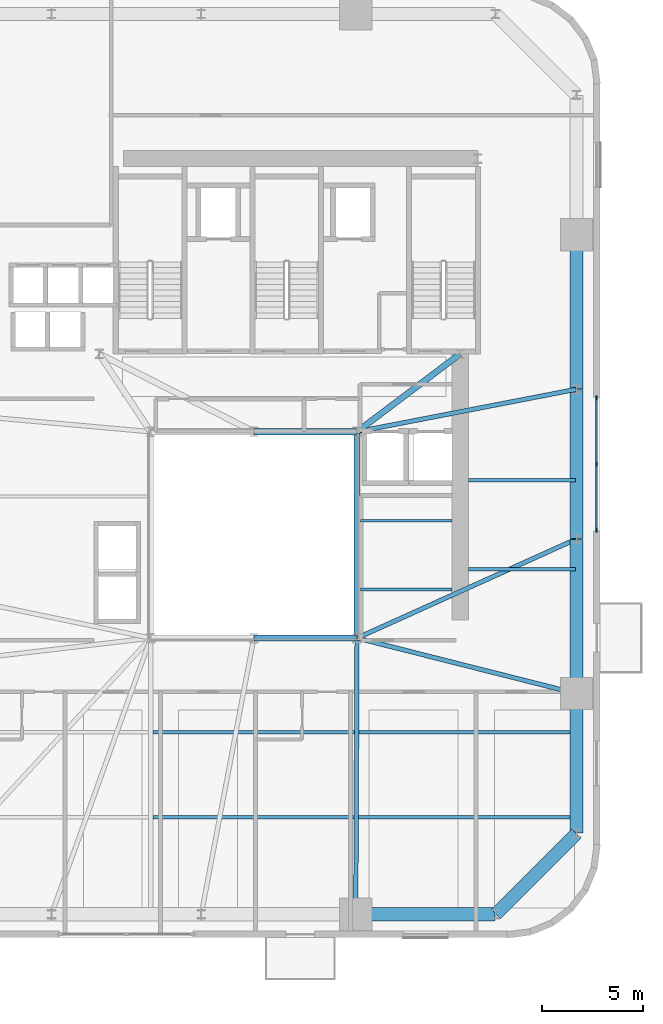
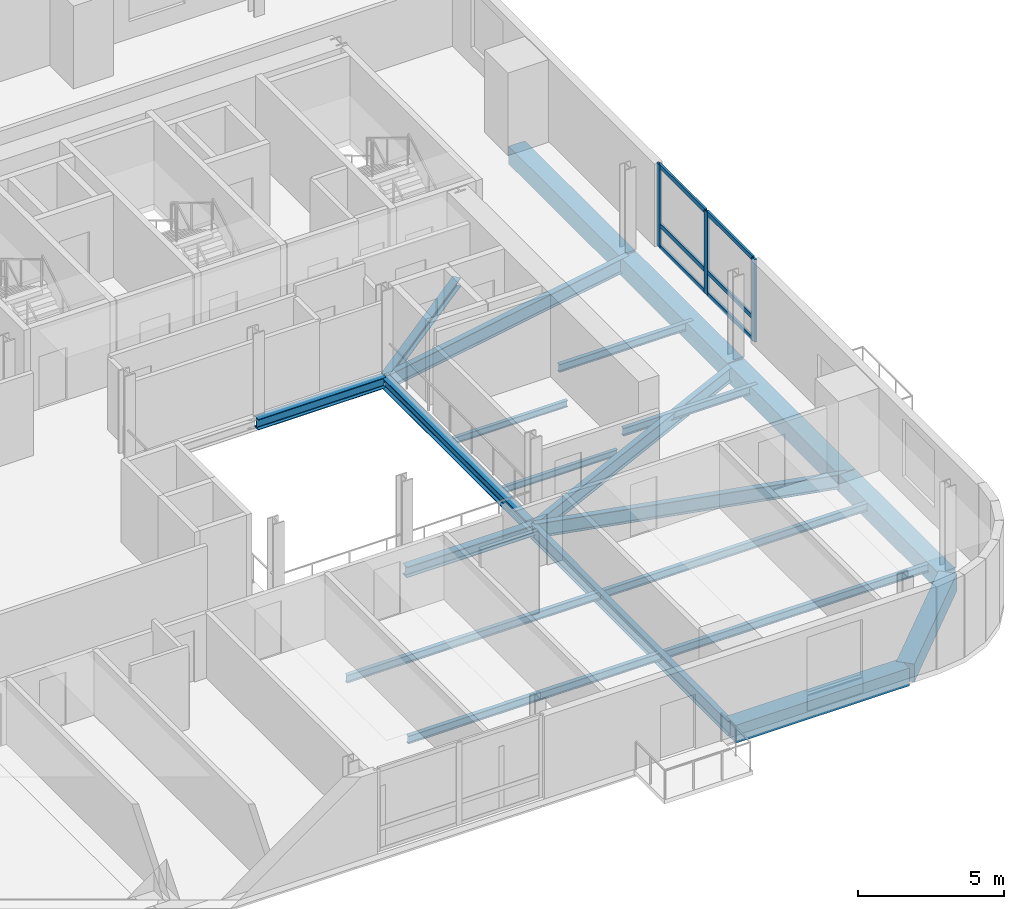
# One storey, part 3 of 14: 20 beams, 9 members, 1 element without a shape of its own.
"""IFC4 building model written with IfcOpenShell, lengths in metres."""

import ifcopenshell
import ifcopenshell.guid

model = None  # the IFC model being written
_history = None  # IfcOwnerHistory: only IFC2X3 demands one
_inside = {}  # id of a spatial element -> (the spatial element, [elements in it])
_under = {}  # id of a project, library or spatial element -> (it, [spatial elements below it])
_declared = {}  # id of a project -> (the project, [libraries it declares])
_typed = {}  # id of a type object -> (the type object, [elements of that type])
_made_of = {}  # id of a material, layer set ... -> (it, [elements and type objects made of it])


def new_model(schema):
    """Start an empty IFC model of exactly this schema.

    Asked for "IFC4X3", IfcOpenShell would pick the latest addendum, in which some entities
    have other attributes; the version numbers below select the first issue.
    IFC2X3 requires an IfcOwnerHistory on every rooted entity: one is made here for all.
    """
    global model, _history
    if schema == "IFC4X3":
        model = ifcopenshell.file(schema_version=(4, 3, 0, 0))
    else:
        model = ifcopenshell.file(schema=schema)
    _inside.clear()
    _under.clear()
    _declared.clear()
    _typed.clear()
    _made_of.clear()
    _history = None
    if model.schema == "IFC2X3":
        org = make("IfcOrganization", Name="unknown")
        user = make(
            "IfcPersonAndOrganization",
            ThePerson=make("IfcPerson", FamilyName="unknown"),
            TheOrganization=org,
        )
        app = make(
            "IfcApplication",
            ApplicationDeveloper=org,
            Version="unknown",
            ApplicationFullName="unknown",
            ApplicationIdentifier="unknown",
        )
        _history = make(
            "IfcOwnerHistory",
            OwningUser=user,
            OwningApplication=app,
            ChangeAction="ADDED",
            CreationDate=0,
        )
    return model


def make(cls, **values):
    """One entity of the class cls with the attributes given. An attribute that is None is left unset."""
    return model.create_entity(
        cls, **{name: value for name, value in values.items() if value is not None}
    )


def rooted(cls, **values):
    """An entity with a GlobalId (a new one), such as an element, a storey or a relation."""
    return make(cls, GlobalId=ifcopenshell.guid.new(), OwnerHistory=_history, **values)


def si_unit(unit_type, name, prefix=None):
    """IfcSIUnit, for example si_unit("LENGTHUNIT", "METRE", prefix="MILLI")."""
    return make("IfcSIUnit", UnitType=unit_type, Prefix=prefix, Name=name)


def assignment(units):
    """IfcUnitAssignment: the units of a project."""
    return None if units is None else make("IfcUnitAssignment", Units=units)


def point(xyz):
    """IfcCartesianPoint."""
    return None if xyz is None else make("IfcCartesianPoint", Coordinates=xyz)


def direction(xyz):
    """IfcDirection."""
    return None if xyz is None else make("IfcDirection", DirectionRatios=xyz)


def frame(location, z_axis=None, x_axis=None):
    """IfcAxis2Placement3D, a coordinate frame: its origin and axes. An axis left out is left unset."""
    return make(
        "IfcAxis2Placement3D",
        Location=point(location),
        Axis=direction(z_axis),
        RefDirection=direction(x_axis),
    )


def frame_2d(location, x_axis=None):
    """IfcAxis2Placement2D, a coordinate frame in the plane: its origin and x axis."""
    return make(
        "IfcAxis2Placement2D", Location=point(location), RefDirection=direction(x_axis)
    )


def origin():
    """The frame at (0, 0, 0) with its axes left unset."""
    return frame((0.0, 0.0, 0.0))


def origin_2d():
    """The frame at (0, 0) in the plane with its x axis left unset."""
    return frame_2d((0.0, 0.0))


def place(relative_to, where):
    """IfcLocalPlacement: puts the frame where relative to a parent placement (None: the world)."""
    return make(
        "IfcLocalPlacement", PlacementRelTo=relative_to, RelativePlacement=where
    )


def context(
    kind, dimensions, precision=None, world=None, true_north=None, identifier=None
):
    """IfcGeometricRepresentationContext, for example the 3D "Model" context."""
    return make(
        "IfcGeometricRepresentationContext",
        ContextIdentifier=identifier,
        ContextType=kind,
        CoordinateSpaceDimension=dimensions,
        Precision=precision,
        WorldCoordinateSystem=world,
        TrueNorth=true_north,
    )


def subcontext(parent, identifier, kind, view, scale=None):
    """IfcGeometricRepresentationSubContext, for example "Body" below "Model"."""
    return make(
        "IfcGeometricRepresentationSubContext",
        ContextIdentifier=identifier,
        ContextType=kind,
        ParentContext=parent,
        TargetScale=scale,
        TargetView=view,
    )


def project(units=None, contexts=None):
    """IfcProject with its units and contexts."""
    return rooted(
        "IfcProject",
        Name="project",
        RepresentationContexts=contexts,
        UnitsInContext=assignment(units),
    )


def spatial(cls, under=None, at=None, **own):
    """A site, building, storey or space (cls), placed at a placement, below another one or the project."""
    s = rooted(cls, ObjectPlacement=at, **own)
    if under is not None:
        _under.setdefault(under.id(), (under, []))[1].append(s)
    return s


def profile(cls, at=None, kind="AREA", **sizes):
    """A parametric profile (cls). Its sizes go by their IFC names, for example OverallWidth=200.0."""
    return make(cls, ProfileType=kind, Position=at, **sizes)


def rectangle(**sizes):
    """IfcRectangleProfileDef."""
    return profile("IfcRectangleProfileDef", **sizes)


def i_section(**sizes):
    """IfcIShapeProfileDef."""
    return profile("IfcIShapeProfileDef", **sizes)


def extrude(swept, where, along, depth):
    """IfcExtrudedAreaSolid: the profile swept, set in the frame where, extruded along a direction by depth."""
    return make(
        "IfcExtrudedAreaSolid",
        SweptArea=swept,
        Position=where,
        ExtrudedDirection=direction(along),
        Depth=depth,
    )


def shape(context_of_items, identifier, shape_type, items):
    """IfcShapeRepresentation: the items that make up one representation, for example the "Body"."""
    return make(
        "IfcShapeRepresentation",
        ContextOfItems=context_of_items,
        RepresentationIdentifier=identifier,
        RepresentationType=shape_type,
        Items=items,
    )


def source(mapping_origin, context_of_items, identifier, shape_type, items):
    """IfcRepresentationMap: a shape defined once, which mapped items show again and again."""
    return make(
        "IfcRepresentationMap",
        MappingOrigin=mapping_origin,
        MappedRepresentation=shape(context_of_items, identifier, shape_type, items),
    )


def transform(
    local_origin,
    x_axis=None,
    y_axis=None,
    z_axis=None,
    scale=None,
    scale2=None,
    scale3=None,
    uniform=True,
):
    """IfcCartesianTransformationOperator3D, or its non-uniform kind. x_axis, y_axis, z_axis: its Axis1, 2, 3."""
    if uniform:
        return make(
            "IfcCartesianTransformationOperator3D",
            Axis1=direction(x_axis),
            Axis2=direction(y_axis),
            LocalOrigin=point(local_origin),
            Scale=scale,
            Axis3=direction(z_axis),
        )
    return make(
        "IfcCartesianTransformationOperator3DnonUniform",
        Axis1=direction(x_axis),
        Axis2=direction(y_axis),
        LocalOrigin=point(local_origin),
        Scale=scale,
        Axis3=direction(z_axis),
        Scale2=scale2,
        Scale3=scale3,
    )


def mapped(mapping_source, mapping_target):
    """IfcMappedItem: shows the shape of a source again, moved by a transform."""
    return make(
        "IfcMappedItem", MappingSource=mapping_source, MappingTarget=mapping_target
    )


def material(Name=None, Category=None):
    """IfcMaterial."""
    return make("IfcMaterial", Name=Name, Category=Category)


def material_profile(
    of_material, cross_section, Name=None, Category=None, Priority=None
):
    """IfcMaterialProfile: a cross section and its material."""
    return make(
        "IfcMaterialProfile",
        Name=Name,
        Material=of_material,
        Profile=cross_section,
        Priority=Priority,
        Category=Category,
    )


def profile_set(profiles, Name=None, composite=None):
    """IfcMaterialProfileSet."""
    return make(
        "IfcMaterialProfileSet",
        Name=Name,
        MaterialProfiles=profiles,
        CompositeProfile=composite,
    )


def made_of(thing, what):
    """Note that an element or type object is made of a material, layer set ...; save() writes the relation."""
    if what is not None:
        _made_of.setdefault(what.id(), (what, []))[1].append(thing)
    return thing


def type_object(cls, material=None, **own):
    """A type object (cls), such as IfcWallType, which elements share."""
    return made_of(rooted(cls, **own), material)


def element(
    cls,
    number,
    at=None,
    inside=None,
    cuts=None,
    type_object=None,
    material=None,
    context=None,
    identifier="Body",
    shape_type=None,
    held_by="IfcProductDefinitionShape",
    body=None,
    shapes=None,
    **own,
):
    """One element of the class cls, such as IfcWall. Its Tag is "e" and its number.

    at: its placement. inside: the storey or other place that contains it. cuts: it is an
    opening in that element (IfcRelVoidsElement). A single representation is given by context,
    identifier, shape_type and body (its items); several are given by shapes. held_by: the class
    of the entity that holds the representations. save() writes the other relations.
    """
    e = rooted(cls, Tag="e%d" % number, ObjectPlacement=at, **own)
    if body is not None:
        shapes = [shape(context, identifier, shape_type, body)]
    if shapes is not None:
        e.Representation = make(held_by, Representations=shapes)
    if inside is not None:
        _inside.setdefault(inside.id(), (inside, []))[1].append(e)
    if cuts is not None:
        rooted(
            "IfcRelVoidsElement", RelatingBuildingElement=cuts, RelatedOpeningElement=e
        )
    if type_object is not None:
        _typed.setdefault(type_object.id(), (type_object, []))[1].append(e)
    return made_of(e, material)


def aggregate(whole, parts):
    """IfcRelAggregates: a whole, such as a stair, and the parts it consists of."""
    return rooted("IfcRelAggregates", RelatingObject=whole, RelatedObjects=parts)


def save(model, path):
    """Write the relations noted so far, then the file.

    IfcRelAggregates (storeys below a building ...), IfcRelContainedInSpatialStructure (elements
    in a storey), IfcRelDefinesByType, IfcRelAssociatesMaterial and IfcRelDeclares: one each for
    every whole, place, type object, material and project.
    """
    for whole, parts in _under.values():
        aggregate(whole, parts)
    for where, things in _inside.values():
        rooted(
            "IfcRelContainedInSpatialStructure",
            RelatedElements=things,
            RelatingStructure=where,
        )
    for kind, things in _typed.values():
        rooted("IfcRelDefinesByType", RelatedObjects=things, RelatingType=kind)
    for what, things in _made_of.values():
        rooted("IfcRelAssociatesMaterial", RelatedObjects=things, RelatingMaterial=what)
    for by, libraries in _declared.values():
        rooted("IfcRelDeclares", RelatingContext=by, RelatedDefinitions=libraries)
    model.write(path)


model = new_model("IFC4")

# Units and contexts
model_context = context("Model", 3, precision=1e-05, world=origin(), true_north=direction((0.0, 1.0)))
body_context = subcontext(model_context, "Body", "Model", "MODEL_VIEW")
ifc_project = project(units=[si_unit("LENGTHUNIT", "METRE"), si_unit("AREAUNIT", "SQUARE_METRE"), si_unit("VOLUMEUNIT", "CUBIC_METRE"), si_unit("PLANEANGLEUNIT", "RADIAN"), si_unit("MASSUNIT", "GRAM", prefix="KILO")], contexts=[model_context])

# Site, building, storey
site_placement = place(None, origin())
site = spatial("IfcSite", under=ifc_project, at=site_placement, CompositionType="ELEMENT")
building_placement = place(site_placement, origin())
building = spatial("IfcBuilding", under=site, at=building_placement, Name="Vardaveli Station Tower", CompositionType="ELEMENT")
storey_placement = place(building_placement, frame((0.0, 0.0, 152.0)))
storey = spatial("IfcBuildingStorey", under=building, at=storey_placement, Name="L39", CompositionType="ELEMENT", Elevation=152.0)

# Beams
ifc_material_1 = material(Name="Structural steel S355J2", Category="steel")
ifc_material_profile_1 = material_profile(ifc_material_1, i_section(OverallWidth=0.300048828125, OverallDepth=0.449951171875, WebThickness=0.013916015625, FlangeThickness=0.02587890625, FilletRadius=0.027099609375, at=origin_2d()), Name="HEB 450")
ifc_profile_set_1 = profile_set([ifc_material_profile_1], Name="Structural steel S355J2")
beam_type_1 = type_object("IfcBeamType", Name="BM-HEB450", PredefinedType="BEAM", material=ifc_profile_set_1)
shared_shape_1 = source(origin(), body_context, "Body", "SweptSolid", [
    extrude(i_section(OverallWidth=0.300048828125, OverallDepth=0.449951171875, WebThickness=0.013916015625, FlangeThickness=0.02587890625, FilletRadius=0.027099609375, at=origin_2d()), origin(), (0.0, 0.0, 1.0), 5.059814453125),
])
for number, where, z_axis, x_axis, name in (
    (1, (36.320068359375, 16.60009765625, -0.465087890625), (1.0, 0.0, 0.0), (0.0, 1.0, 0.0), "ABM-L39-02"),
    (2, (41.3798828125, 26.800048828125, -0.465087890625), (-1.0, 0.0, 0.0), (0.0, -1.0, 0.0), "ABM-L39-04"),
):
    element("IfcBeam", number, at=place(storey_placement, frame(where, z_axis=z_axis, x_axis=x_axis)), inside=storey, type_object=beam_type_1, Name=name, PredefinedType="BEAM", context=body_context, shape_type="MappedRepresentation", body=[
        mapped(shared_shape_1, transform((0.0, 0.0, 0.0), scale=1.0)),
    ])
shared_shape_2 = source(origin(), body_context, "Body", "SweptSolid", [
    extrude(i_section(OverallWidth=0.300048828125, OverallDepth=0.449951171875, WebThickness=0.013916015625, FlangeThickness=0.02587890625, FilletRadius=0.027099609375, at=origin_2d()), origin(), (0.0, 0.0, 1.0), 10.159912109375),
])
beam_1_placement = place(storey_placement, frame((41.39990234375, 16.6201171875, -0.465087890625), z_axis=(0.0, 1.0, 0.0), x_axis=(-1.0, 0.0, 0.0)))
element("IfcBeam", 3, at=beam_1_placement, inside=storey, type_object=beam_type_1, Name="ABM-L39-03", PredefinedType="BEAM", context=body_context, shape_type="MappedRepresentation", body=[
    mapped(shared_shape_2, transform((0.0, 0.0, 0.0), scale=1.0)),
])
ifc_material_profile_2 = material_profile(ifc_material_1, i_section(OverallWidth=0.300048828125, OverallDepth=0.360107421875, WebThickness=0.012451171875, FlangeThickness=0.0224609375, FilletRadius=0.027099609375, at=origin_2d()), Name="HEB 360")
ifc_profile_set_2 = profile_set([ifc_material_profile_2], Name="Structural steel S355J2")
beam_type_2 = type_object("IfcBeamType", Name="BM-HEB360", PredefinedType="BEAM", material=ifc_profile_set_2)
shared_shape_3 = source(origin(), body_context, "Body", "SweptSolid", [
    extrude(i_section(OverallWidth=0.300048828125, OverallDepth=0.360107421875, WebThickness=0.012451171875, FlangeThickness=0.0224609375, FilletRadius=0.027099609375, at=origin_2d()), origin(), (0.0, 0.0, 1.0), 6.35009765625),
])
beam_2_placement = place(storey_placement, frame((41.416015625, 26.81201171875, -0.419921875), z_axis=(0.798118337722, 0.602500721154, 0.0), x_axis=(-0.602500721154, 0.798118337722, 0.0)))
element("IfcBeam", 4, at=beam_2_placement, inside=storey, type_object=beam_type_2, Name="CBM-L39-02", PredefinedType="BEAM", context=body_context, shape_type="MappedRepresentation", body=[
    mapped(shared_shape_3, transform((0.0, 0.0, 0.0), scale=1.0)),
])
ifc_material_2 = material(Name="Precast concrete C45/55", Category="concrete")
ifc_material_profile_3 = material_profile(ifc_material_2, rectangle(XDim=0.64990234375, YDim=0.75, at=origin_2d()), Name="LPB 650x750")
ifc_profile_set_3 = profile_set([ifc_material_profile_3], Name="Precast concrete C45/55")
beam_type_3 = type_object("IfcBeamType", Name="BM-LPB-750", PredefinedType="BEAM", material=ifc_profile_set_3)
shared_shape_4 = source(origin(), body_context, "Body", "SweptSolid", [
    extrude(rectangle(XDim=0.64990234375, YDim=0.75, at=origin_2d()), origin(), (0.0, 0.0, 1.0), 7.60009765625),
])
for number, where, z_axis, x_axis, name in (
    (5, (52.25, 13.8798828125, -0.614990234375), (0.0, 1.0, 0.0), (-1.0, 0.0, 0.0), "RBM-L39-07"),
    (6, (52.25, 28.919921875, -0.614990234375), (0.0, 1.0, 0.0), (-1.0, 0.0, 0.0), "RBM-L39-09"),
):
    element("IfcBeam", number, at=place(storey_placement, frame(where, z_axis=z_axis, x_axis=x_axis)), inside=storey, type_object=beam_type_3, Name=name, PredefinedType="BEAM", context=body_context, shape_type="MappedRepresentation", body=[
        mapped(shared_shape_4, transform((0.0, 0.0, 0.0), scale=1.0)),
    ])
shared_shape_5 = source(origin(), body_context, "Body", "SweptSolid", [
    extrude(rectangle(XDim=0.64990234375, YDim=0.75, at=origin_2d()), origin(), (0.0, 0.0, 1.0), 7.35986328125),
])
beam_3_placement = place(storey_placement, frame((52.25, 21.52001953125, -0.614990234375), z_axis=(0.0, 1.0, 0.0), x_axis=(-1.0, 0.0, 0.0)))
element("IfcBeam", 7, at=beam_3_placement, inside=storey, type_object=beam_type_3, Name="RBM-L39-08", PredefinedType="BEAM", context=body_context, shape_type="MappedRepresentation", body=[
    mapped(shared_shape_5, transform((0.0, 0.0, 0.0), scale=1.0)),
])
shared_shape_6 = source(origin(), body_context, "Body", "SweptSolid", [
    extrude(rectangle(XDim=0.64990234375, YDim=0.75, at=origin_2d()), origin(), (0.0, 0.0, 1.0), 6.869873046875),
])
beam_4_placement = place(storey_placement, frame((41.360107421875, 2.949951171875, -0.614990234375), z_axis=(1.0, 0.0, 0.0), x_axis=(0.0, 1.0, 0.0)))
element("IfcBeam", 8, at=beam_4_placement, inside=storey, type_object=beam_type_3, Name="RBM-L39-04", PredefinedType="BEAM", context=body_context, shape_type="MappedRepresentation", body=[
    mapped(shared_shape_6, transform((0.0, 0.0, 0.0), scale=1.0)),
])
shared_shape_7 = source(origin(), body_context, "Body", "SweptSolid", [
    extrude(rectangle(XDim=0.64990234375, YDim=0.75, at=origin_2d()), origin(), (0.0, 0.0, 1.0), 5.61669921875),
])
beam_5_placement = place(storey_placement, frame((48.26416015625, 2.964111328125, -0.614990234375), z_axis=(0.707106781187, 0.707106781187, 0.0), x_axis=(-0.707106781187, 0.707106781187, 0.0)))
element("IfcBeam", 9, at=beam_5_placement, inside=storey, type_object=beam_type_3, Name="RBM-L39-05", PredefinedType="BEAM", context=body_context, shape_type="MappedRepresentation", body=[
    mapped(shared_shape_7, transform((0.0, 0.0, 0.0), scale=1.0)),
])
shared_shape_8 = source(origin(), body_context, "Body", "SweptSolid", [
    extrude(rectangle(XDim=0.64990234375, YDim=0.75, at=origin_2d()), origin(), (0.0, 0.0, 1.0), 6.8701171875),
])
beam_6_placement = place(storey_placement, frame((52.25, 6.969970703125, -0.614990234375), z_axis=(0.0, 1.0, 0.0), x_axis=(-1.0, 0.0, 0.0)))
element("IfcBeam", 10, at=beam_6_placement, inside=storey, type_object=beam_type_3, Name="RBM-L39-06", PredefinedType="BEAM", context=body_context, shape_type="MappedRepresentation", body=[
    mapped(shared_shape_8, transform((0.0, 0.0, 0.0), scale=1.0)),
])
ifc_material_profile_4 = material_profile(ifc_material_1, i_section(OverallWidth=0.159912109375, OverallDepth=0.330078125, WebThickness=0.007568359375, FlangeThickness=0.011474609375, FilletRadius=0.01806640625, at=origin_2d()), Name="IPE 330")
ifc_profile_set_4 = profile_set([ifc_material_profile_4], Name="Structural steel S355J2")
beam_type_4 = type_object("IfcBeamType", Name="BM-IPE330", PredefinedType="JOIST", material=ifc_profile_set_4)
shared_shape_9 = source(origin(), body_context, "Body", "SweptSolid", [
    extrude(i_section(OverallWidth=0.159912109375, OverallDepth=0.330078125, WebThickness=0.007568359375, FlangeThickness=0.011474609375, FilletRadius=0.01806640625, at=origin_2d()), origin(), (0.0, 0.0, 1.0), 20.89794921875),
])
for number, where, z_axis, x_axis, name in (
    (11, (31.31201171875, 7.75, -0.405029296875), (1.0, 0.0, 0.0), (0.0, 1.0, 0.0), "SJ-L39-S02"),
    (12, (31.31201171875, 11.949951171875, -0.405029296875), (1.0, 0.0, 0.0), (0.0, 1.0, 0.0), "SJ-L39-S04"),
):
    element("IfcBeam", number, at=place(storey_placement, frame(where, z_axis=z_axis, x_axis=x_axis)), inside=storey, type_object=beam_type_4, Name=name, PredefinedType="JOIST", context=body_context, shape_type="MappedRepresentation", body=[
        mapped(shared_shape_9, transform((0.0, 0.0, 0.0), scale=1.0)),
    ])
shared_shape_10 = source(origin(), body_context, "Body", "SweptSolid", [
    extrude(i_section(OverallWidth=0.159912109375, OverallDepth=0.330078125, WebThickness=0.007568359375, FlangeThickness=0.011474609375, FilletRadius=0.01806640625, at=origin_2d()), origin(), (0.0, 0.0, 1.0), 5.304931640625),
])
for number, where, z_axis, x_axis, name in (
    (13, (46.905029296875, 20.0, -0.405029296875), (1.0, 0.0, 0.0), (0.0, 1.0, 0.0), "SJ-L39-E07"),
    (14, (46.905029296875, 24.39990234375, -0.405029296875), (1.0, 0.0, 0.0), (0.0, 1.0, 0.0), "SJ-L39-E08"),
):
    element("IfcBeam", number, at=place(storey_placement, frame(where, z_axis=z_axis, x_axis=x_axis)), inside=storey, type_object=beam_type_4, Name=name, PredefinedType="JOIST", context=body_context, shape_type="MappedRepresentation", body=[
        mapped(shared_shape_10, transform((0.0, 0.0, 0.0), scale=1.0)),
    ])
ifc_material_profile_5 = material_profile(ifc_material_1, i_section(OverallWidth=0.135009765625, OverallDepth=0.27001953125, WebThickness=0.006591796875, FlangeThickness=0.01025390625, FilletRadius=0.014892578125, at=origin_2d()), Name="IPE 270")
ifc_profile_set_5 = profile_set([ifc_material_profile_5], Name="Structural steel S355J2")
beam_type_5 = type_object("IfcBeamType", Name="BM-IPE270", PredefinedType="BEAM", material=ifc_profile_set_5)
shared_shape_11 = source(origin(), body_context, "Body", "SweptSolid", [
    extrude(i_section(OverallWidth=0.135009765625, OverallDepth=0.27001953125, WebThickness=0.006591796875, FlangeThickness=0.01025390625, FilletRadius=0.014892578125, at=origin_2d()), origin(), (0.0, 0.0, 1.0), 4.530029296875),
])
for number, where, z_axis, x_axis, name in (
    (15, (41.56494140625, 19.0, -0.375), (1.0, 0.0, 0.0), (0.0, 1.0, 0.0), "TJ-L39-01"),
    (16, (41.56494140625, 22.39990234375, -0.375), (1.0, 0.0, 0.0), (0.0, 1.0, 0.0), "TJ-L39-02"),
):
    element("IfcBeam", number, at=place(storey_placement, frame(where, z_axis=z_axis, x_axis=x_axis)), inside=storey, type_object=beam_type_5, Name=name, PredefinedType="BEAM", context=body_context, shape_type="MappedRepresentation", body=[
        mapped(shared_shape_11, transform((0.0, 0.0, 0.0), scale=1.0)),
    ])
ifc_material_profile_6 = material_profile(ifc_material_1, i_section(OverallWidth=0.219970703125, OverallDepth=0.60009765625, WebThickness=0.011962890625, FlangeThickness=0.01904296875, FilletRadius=0.02392578125, at=origin_2d()), Name="IPE 600")
ifc_profile_set_6 = profile_set([ifc_material_profile_6], Name="Structural steel S355J2")
beam_type_6 = type_object("IfcBeamType", Name="BM-IPE600", PredefinedType="BEAM", material=ifc_profile_set_6)
shared_shape_12 = source(origin(), body_context, "Body", "SweptSolid", [
    extrude(i_section(OverallWidth=0.219970703125, OverallDepth=0.60009765625, WebThickness=0.011962890625, FlangeThickness=0.01904296875, FilletRadius=0.02392578125, at=origin_2d()), origin(), (0.0, 0.0, 1.0), 13.6103515625),
])
beam_7_placement = place(storey_placement, frame((41.340087890625, 2.969970703125, -0.5400390625), z_axis=(0.004394812886, 0.999990342763, 0.0), x_axis=(-0.999990342763, 0.004394812886, 0.0)))
element("IfcBeam", 17, at=beam_7_placement, inside=storey, type_object=beam_type_6, Name="GBM-L39-04", PredefinedType="BEAM", context=body_context, shape_type="MappedRepresentation", body=[
    mapped(shared_shape_12, transform((0.0, 0.0, 0.0), scale=1.0)),
])
shared_shape_13 = source(origin(), body_context, "Body", "SweptSolid", [
    extrude(i_section(OverallWidth=0.219970703125, OverallDepth=0.60009765625, WebThickness=0.011962890625, FlangeThickness=0.01904296875, FilletRadius=0.02392578125, at=origin_2d()), origin(), (0.0, 0.0, 1.0), 11.150634765625),
])
beam_8_placement = place(storey_placement, frame((52.230712890625, 13.864990234375, -0.5400390625), z_axis=(-0.969561465826, 0.244848042642, 0.0), x_axis=(-0.244848042642, -0.969561465826, 0.0)))
element("IfcBeam", 18, at=beam_8_placement, inside=storey, type_object=beam_type_6, Name="GBM-L39-05", PredefinedType="BEAM", context=body_context, shape_type="MappedRepresentation", body=[
    mapped(shared_shape_13, transform((0.0, 0.0, 0.0), scale=1.0)),
])
shared_shape_14 = source(origin(), body_context, "Body", "SweptSolid", [
    extrude(i_section(OverallWidth=0.219970703125, OverallDepth=0.60009765625, WebThickness=0.011962890625, FlangeThickness=0.01904296875, FilletRadius=0.02392578125, at=origin_2d()), origin(), (0.0, 0.0, 1.0), 11.864990234375),
])
beam_9_placement = place(storey_placement, frame((52.231689453125, 21.49169921875, -0.5400390625), z_axis=(-0.911369354756, -0.411589478985, 0.0), x_axis=(0.411589478985, -0.911369354756, 0.0)))
element("IfcBeam", 19, at=beam_9_placement, inside=storey, type_object=beam_type_6, Name="GBM-L39-06", PredefinedType="BEAM", context=body_context, shape_type="MappedRepresentation", body=[
    mapped(shared_shape_14, transform((0.0, 0.0, 0.0), scale=1.0)),
])
shared_shape_15 = source(origin(), body_context, "Body", "SweptSolid", [
    extrude(i_section(OverallWidth=0.219970703125, OverallDepth=0.60009765625, WebThickness=0.011962890625, FlangeThickness=0.01904296875, FilletRadius=0.02392578125, at=origin_2d()), origin(), (0.0, 0.0, 1.0), 11.011474609375),
])
beam_10_placement = place(storey_placement, frame((52.23046875, 28.896240234375, -0.5400390625), z_axis=(-0.981777849093, -0.190032247343, 0.0), x_axis=(0.190032247343, -0.981777849093, 0.0)))
element("IfcBeam", 20, at=beam_10_placement, inside=storey, type_object=beam_type_6, Name="GBM-L39-07", PredefinedType="BEAM", context=body_context, shape_type="MappedRepresentation", body=[
    mapped(shared_shape_15, transform((0.0, 0.0, 0.0), scale=1.0)),
])

# Curtain wall, members
ifc_material_3 = material(Name="Travertine stone and solar-control glass", Category="masonry")
curtain_wall_type = type_object("IfcCurtainWallType", Name="CW-SYS-2", PredefinedType="NOTDEFINED", material=ifc_material_3)
curtain_wall_placement = place(storey_placement, origin())
curtain_wall = element("IfcCurtainWall", 21, at=curtain_wall_placement, inside=storey, type_object=curtain_wall_type, Name="CW-L39-E", PredefinedType="NOTDEFINED")
ifc_material_4 = material(Name="Anodised aluminium alloy 6063-T6", Category="aluminium")
ifc_material_profile_7 = material_profile(ifc_material_4, rectangle(XDim=0.0849609375, YDim=0.179931640625, at=origin_2d()), Name="CWT 85x180")
ifc_profile_set_7 = profile_set([ifc_material_profile_7], Name="Anodised aluminium alloy 6063-T6")
member_type_1 = type_object("IfcMemberType", Name="CW-SYS-2-TRAN", PredefinedType="NOTDEFINED", material=ifc_profile_set_7)
shared_shape_16 = source(origin(), body_context, "Body", "SweptSolid", [
    extrude(rectangle(XDim=0.0849609375, YDim=0.179931640625, at=origin_2d()), origin(), (0.0, 0.0, 1.0), 3.172607421875),
])
member_1_placement = place(storey_placement, frame((53.239990234375, 25.242431640625, 0.04248046875), z_axis=(0.0, 1.0, 0.0), x_axis=(-1.0, 0.0, 0.0)))
member_1 = element("IfcMember", 22, at=member_1_placement, type_object=member_type_1, Name="CW-2 transom 2.1", ObjectType="TRANSOM", PredefinedType="USERDEFINED", context=body_context, shape_type="MappedRepresentation", body=[
    mapped(shared_shape_16, transform((0.0, 0.0, 0.0), scale=1.0)),
])
member_2_placement = place(storey_placement, frame((53.239990234375, 25.242431640625, 0.949951171875), z_axis=(0.0, 1.0, 0.0), x_axis=(-1.0, 0.0, 0.0)))
member_2 = element("IfcMember", 23, at=member_2_placement, type_object=member_type_1, Name="CW-2 transom 2.2", ObjectType="TRANSOM", PredefinedType="USERDEFINED", context=body_context, shape_type="MappedRepresentation", body=[
    mapped(shared_shape_16, transform((0.0, 0.0, 0.0), scale=1.0)),
])
member_3_placement = place(storey_placement, frame((53.239990234375, 25.242431640625, 3.41748046875), z_axis=(0.0, 1.0, 0.0), x_axis=(-1.0, 0.0, 0.0)))
member_3 = element("IfcMember", 24, at=member_3_placement, type_object=member_type_1, Name="CW-2 transom 2.3", ObjectType="TRANSOM", PredefinedType="USERDEFINED", context=body_context, shape_type="MappedRepresentation", body=[
    mapped(shared_shape_16, transform((0.0, 0.0, 0.0), scale=1.0)),
])
shared_shape_17 = source(origin(), body_context, "Body", "SweptSolid", [
    extrude(rectangle(XDim=0.0849609375, YDim=0.179931640625, at=origin_2d()), origin(), (0.0, 0.0, 1.0), 3.17236328125),
])
member_4_placement = place(storey_placement, frame((53.239990234375, 21.985107421875, 0.04248046875), z_axis=(0.0, 1.0, 0.0), x_axis=(-1.0, 0.0, 0.0)))
member_4 = element("IfcMember", 25, at=member_4_placement, type_object=member_type_1, Name="CW-2 transom 1.1", ObjectType="TRANSOM", PredefinedType="USERDEFINED", context=body_context, shape_type="MappedRepresentation", body=[
    mapped(shared_shape_17, transform((0.0, 0.0, 0.0), scale=1.0)),
])
member_5_placement = place(storey_placement, frame((53.239990234375, 21.985107421875, 0.949951171875), z_axis=(0.0, 1.0, 0.0), x_axis=(-1.0, 0.0, 0.0)))
member_5 = element("IfcMember", 26, at=member_5_placement, type_object=member_type_1, Name="CW-2 transom 1.2", ObjectType="TRANSOM", PredefinedType="USERDEFINED", context=body_context, shape_type="MappedRepresentation", body=[
    mapped(shared_shape_17, transform((0.0, 0.0, 0.0), scale=1.0)),
])
member_6_placement = place(storey_placement, frame((53.239990234375, 21.985107421875, 3.41748046875), z_axis=(0.0, 1.0, 0.0), x_axis=(-1.0, 0.0, 0.0)))
member_6 = element("IfcMember", 27, at=member_6_placement, type_object=member_type_1, Name="CW-2 transom 1.3", ObjectType="TRANSOM", PredefinedType="USERDEFINED", context=body_context, shape_type="MappedRepresentation", body=[
    mapped(shared_shape_17, transform((0.0, 0.0, 0.0), scale=1.0)),
])
ifc_material_profile_8 = material_profile(ifc_material_4, rectangle(XDim=0.0849609375, YDim=0.219970703125, at=origin_2d()), Name="CWM 85x220")
ifc_profile_set_8 = profile_set([ifc_material_profile_8], Name="Anodised aluminium alloy 6063-T6")
member_type_2 = type_object("IfcMemberType", Name="CW-SYS-2-MULL", PredefinedType="MULLION", material=ifc_profile_set_8)
shared_shape_18 = source(origin(), body_context, "Body", "SweptSolid", [
    extrude(rectangle(XDim=0.0849609375, YDim=0.219970703125, at=origin_2d()), origin(), (0.0, 0.0, 1.0), 3.4599609375),
])
member_7_placement = place(storey_placement, frame((53.239990234375, 21.9423828125, 0.0), z_axis=(0.0, 0.0, 1.0), x_axis=(-1.0, 0.0, 0.0)))
member_7 = element("IfcMember", 28, at=member_7_placement, type_object=member_type_2, Name="CW-2 mullion 1", PredefinedType="MULLION", context=body_context, shape_type="MappedRepresentation", body=[
    mapped(shared_shape_18, transform((0.0, 0.0, 0.0), scale=1.0)),
])
member_8_placement = place(storey_placement, frame((53.239990234375, 25.199951171875, 0.0), z_axis=(0.0, 0.0, 1.0), x_axis=(-1.0, 0.0, 0.0)))
member_8 = element("IfcMember", 29, at=member_8_placement, type_object=member_type_2, Name="CW-2 mullion 2", PredefinedType="MULLION", context=body_context, shape_type="MappedRepresentation", body=[
    mapped(shared_shape_18, transform((0.0, 0.0, 0.0), scale=1.0)),
])
member_9_placement = place(storey_placement, frame((53.239990234375, 28.45751953125, 0.0), z_axis=(0.0, 0.0, 1.0), x_axis=(-1.0, 0.0, 0.0)))
member_9 = element("IfcMember", 30, at=member_9_placement, type_object=member_type_2, Name="CW-2 mullion 3", PredefinedType="MULLION", context=body_context, shape_type="MappedRepresentation", body=[
    mapped(shared_shape_18, transform((0.0, 0.0, 0.0), scale=1.0)),
])
aggregate(curtain_wall, [member_7, member_8, member_9, member_4, member_5, member_6, member_1, member_2, member_3])

save(model, "model.ifc")
